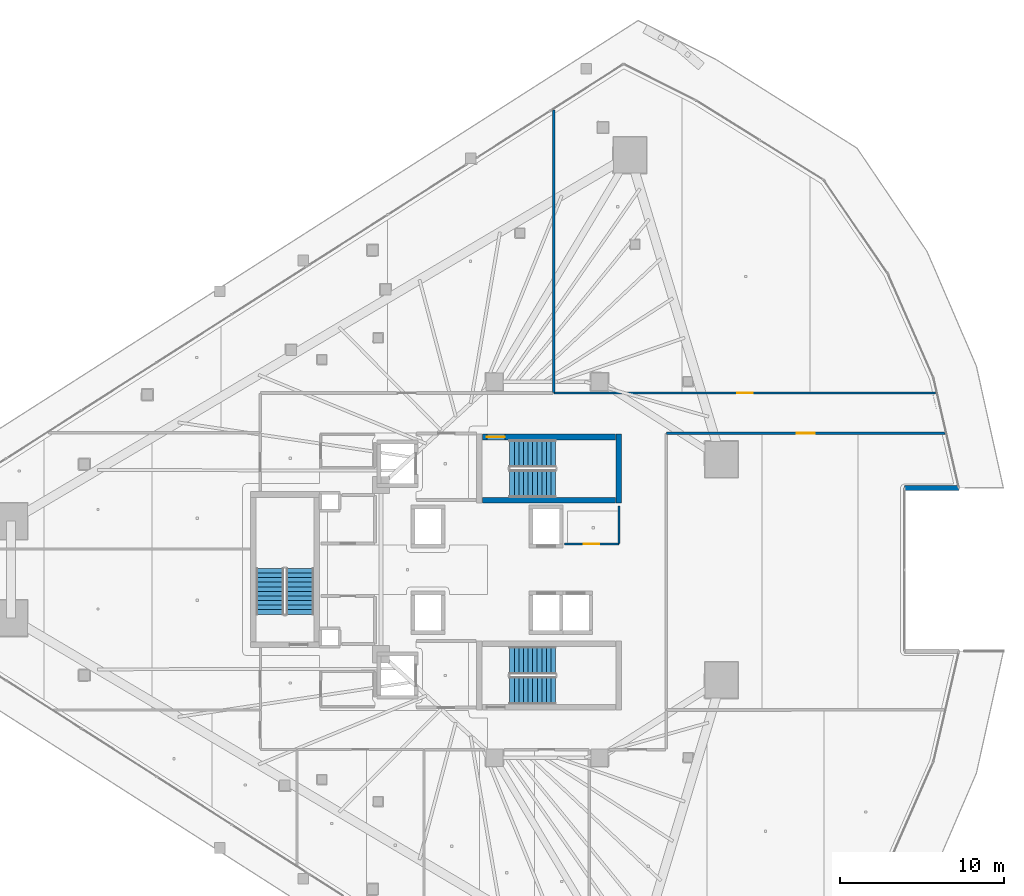
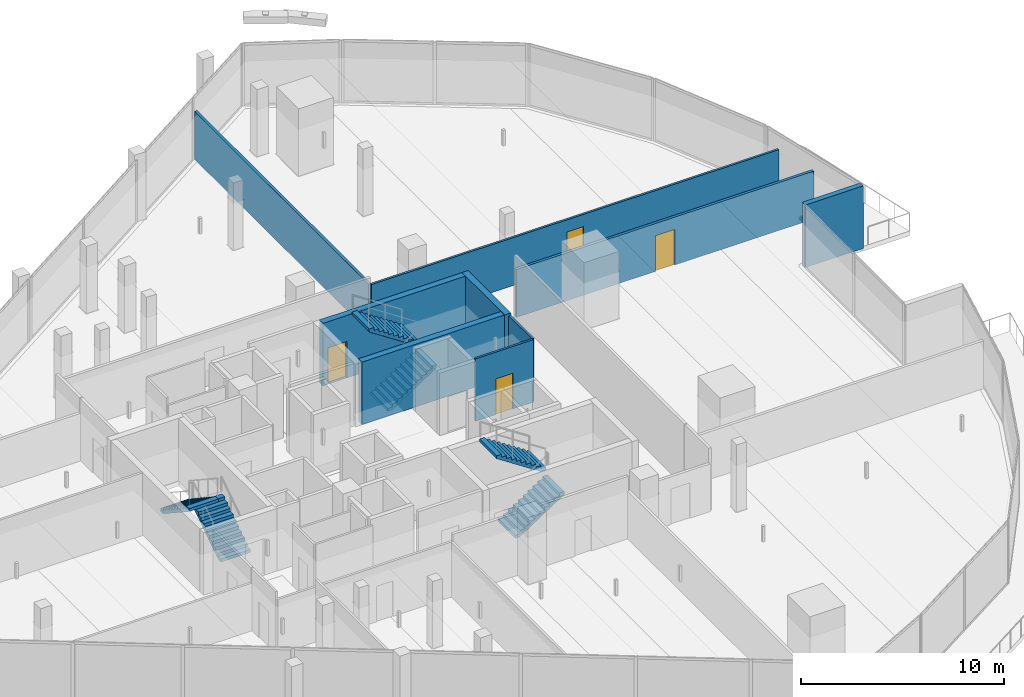
# One storey, part 29 of 42: 9 walls, 6 stair flights, 4 doors, 4 openings, 3 elements without a shape of their own.
"""IFC4 building model written with IfcOpenShell, lengths in metres."""

from ifc_helpers import new_model, si_unit, direction, frame, frame_2d, origin, place, context, subcontext, project, spatial, polyline, rectangle, outline, extrude, material, layer, layer_set, type_object, element, fill, aggregate, save


model = new_model("IFC4")

# Units and contexts
model_context = context("Model", 3, precision=1e-05, world=origin(), true_north=direction((0.0, 1.0)))
body_context = subcontext(model_context, "Body", "Model", "MODEL_VIEW")
ifc_project = project(units=[si_unit("LENGTHUNIT", "METRE"), si_unit("AREAUNIT", "SQUARE_METRE"), si_unit("VOLUMEUNIT", "CUBIC_METRE"), si_unit("PLANEANGLEUNIT", "RADIAN"), si_unit("MASSUNIT", "GRAM", prefix="KILO")], contexts=[model_context])

# Site, building, storey
site_placement = place(None, origin())
site = spatial("IfcSite", under=ifc_project, at=site_placement, CompositionType="ELEMENT")
building_placement = place(site_placement, origin())
building = spatial("IfcBuilding", under=site, at=building_placement, Name="Qorvath Tower", CompositionType="ELEMENT")
storey_placement = place(building_placement, frame((0.0, 0.0, 117.89990234375)))
storey = spatial("IfcBuildingStorey", under=building, at=storey_placement, Name="L26", CompositionType="ELEMENT", Elevation=117.89990234375)

# Wall
ifc_material_1 = material(Name="Double acoustic gypsum board on steel studs", Category="steel")
ifc_layer_1 = layer(ifc_material_1, 0.159912109375)
ifc_layer_set_1 = layer_set([ifc_layer_1], Name="IW-ACOUSTIC-160")
wall_type_1 = type_object("IfcWallType", Name="IW-ACOUSTIC-160", PredefinedType="PARTITIONING", material=ifc_layer_set_1)
wall_1_placement = place(storey_placement, frame((-19.99267578125, 10.783203125, 0.0), z_axis=(0.0, 0.0, 1.0), x_axis=(0.0, 1.0, 0.0)))
element("IfcWall", 1, at=wall_1_placement, inside=storey, type_object=wall_type_1, Name="Interior Partition IW-T1-L26-024", PredefinedType="PARTITIONING", context=body_context, shape_type="SweptSolid", body=[
    extrude(rectangle(XDim=17.206298828125, YDim=0.159912109375, at=frame_2d((8.60302734375, 0.0))), origin(), (0.0, 0.0, 1.0), 2.885009765625),
])

# Wall, opening, door
wall_2_placement = place(storey_placement, frame((3.845703125, 8.31201171875, 0.0), z_axis=(0.0, 0.0, 1.0), x_axis=(-1.0, 0.0, 0.0)))
wall_2 = element("IfcWall", 2, at=wall_2_placement, inside=storey, type_object=wall_type_1, Name="Interior Partition IW-T1-L26-038", PredefinedType="PARTITIONING", context=body_context, shape_type="SweptSolid", body=[
    extrude(rectangle(XDim=16.962890625, YDim=0.159912109375, at=frame_2d((8.4814453125, 0.0))), origin(), (0.0, 0.0, 1.0), 2.885009765625),
])
opening_1_placement = place(wall_2_placement, frame((7.931396484375, 0.0, 0.0)))
opening_1 = element("IfcOpeningElement", 3, at=opening_1_placement, cuts=wall_2, Name="Opening D-T1-L26-12", PredefinedType="OPENING", context=body_context, shape_type="SweptSolid", body=[
    extrude(rectangle(XDim=1.10009765625, YDim=2.14990234375, at=frame_2d((0.550048828125, 1.074951171875))), frame((0.0, 0.08984375, 0.0), z_axis=(0.0, -1.0, 0.0), x_axis=(1.0, 0.0, 0.0)), (0.0, 0.0, 1.0), 0.179931640625),
])
ifc_material_2 = material(Name="Anodised aluminium acoustic framed glass", Category="aluminium")
door_type_1 = type_object("IfcDoorType", Name="D-03", OperationType="NOTDEFINED", PredefinedType="DOOR", material=ifc_material_2)
door_1_placement = place(opening_1_placement, origin())
door_1 = element("IfcDoor", 4, at=door_1_placement, inside=storey, type_object=door_type_1, Name="L26-07 Team Project Office Door D-T1-L26-12", OperationType="SINGLE_SWING_LEFT", OverallHeight=2.14990234375, OverallWidth=1.10009765625, PredefinedType="DOOR", context=body_context, shape_type="SweptSolid", body=[
    extrude(rectangle(XDim=1.10009765625, YDim=2.14990234375, at=frame_2d((0.550048828125, 1.074951171875))), frame((0.0, 0.02490234375, 0.0), z_axis=(0.0, -1.0, 0.0), x_axis=(1.0, 0.0, 0.0)), (0.0, 0.0, 1.0), 0.050048828125),
])
fill(opening_1, door_1)

ifc_material_3 = material(Name="Gypsum board on metal studs with mineral wool", Category="gypsum")
ifc_layer_2 = layer(ifc_material_3, 0.125)
ifc_layer_set_2 = layer_set([ifc_layer_2], Name="IW-PART-125")
wall_type_2 = type_object("IfcWallType", Name="IW-PART-125", PredefinedType="PARTITIONING", material=ifc_layer_set_2)
wall_3_placement = place(storey_placement, frame((-19.333740234375, 1.56005859375, 0.0), z_axis=(0.0, 0.0, 1.0), x_axis=(1.0, 0.0, 0.0)))
wall_3 = element("IfcWall", 5, at=wall_3_placement, inside=storey, type_object=wall_type_2, Name="Interior Partition IW-T1-L26-013", PredefinedType="PARTITIONING", context=body_context, shape_type="SweptSolid", body=[
    extrude(rectangle(XDim=3.308837890625, YDim=0.125, at=frame_2d((1.654296875, 0.0))), origin(), (0.0, 0.0, 1.0), 3.77001953125),
])
opening_2_placement = place(wall_3_placement, frame((1.179443359375, 0.0, 0.0)))
opening_2 = element("IfcOpeningElement", 6, at=opening_2_placement, cuts=wall_3, Name="Opening D-T1-L26-03", PredefinedType="OPENING", context=body_context, shape_type="SweptSolid", body=[
    extrude(rectangle(XDim=0.949951171875, YDim=2.14990234375, at=frame_2d((0.47509765625, 1.074951171875))), frame((0.0, 0.072509765625, 0.0), z_axis=(0.0, -1.0, 0.0), x_axis=(1.0, 0.0, 0.0)), (0.0, 0.0, 1.0), 0.14501953125),
])
ifc_material_4 = material(Name="Solid-core American white oak veneer", Category="wood")
door_type_2 = type_object("IfcDoorType", Name="D-01", OperationType="NOTDEFINED", PredefinedType="DOOR", material=ifc_material_4)
door_2_placement = place(opening_2_placement, origin())
door_2 = element("IfcDoor", 7, at=door_2_placement, inside=storey, type_object=door_type_2, Name="L26-RCN North Staff Refreshment Pantry Door D-T1-L26-03", OperationType="SINGLE_SWING_RIGHT", OverallHeight=2.14990234375, OverallWidth=0.949951171875, PredefinedType="DOOR", context=body_context, shape_type="SweptSolid", body=[
    extrude(rectangle(XDim=0.949951171875, YDim=2.14990234375, at=frame_2d((0.47509765625, 1.074951171875))), frame((0.0, 0.02490234375, 0.0), z_axis=(0.0, -1.0, 0.0), x_axis=(1.0, 0.0, 0.0)), (0.0, 0.0, 1.0), 0.050048828125),
])
fill(opening_2, door_2)

# Wall
wall_4_placement = place(storey_placement, frame((-16.0, 1.585205078125, 0.0), z_axis=(0.0, 0.0, 1.0), x_axis=(0.0, 1.0, 0.0)))
element("IfcWall", 8, at=wall_4_placement, inside=storey, type_object=wall_type_2, Name="Interior Partition IW-T1-L26-014", PredefinedType="PARTITIONING", context=body_context, shape_type="SweptSolid", body=[
    extrude(rectangle(XDim=2.30224609375, YDim=0.125, at=frame_2d((1.151123046875, 0.0))), origin(), (0.0, 0.0, 1.0), 3.77001953125),
])

# Wall, opening, door
wall_5_placement = place(storey_placement, frame((-19.959716796875, 10.758056640625, 0.0), z_axis=(0.0, 0.0, 1.0), x_axis=(1.0, 0.0, 0.0)))
wall_5 = element("IfcWall", 9, at=wall_5_placement, inside=storey, type_object=wall_type_2, Name="Interior Partition IW-T1-L26-025", PredefinedType="PARTITIONING", context=body_context, shape_type="SweptSolid", body=[
    extrude(rectangle(XDim=23.239990234375, YDim=0.125, at=frame_2d((11.6201171875, 0.0))), origin(), (0.0, 0.0, 1.0), 2.885009765625),
])
opening_3_placement = place(wall_5_placement, frame((11.14501953125, 0.0, 0.0)))
opening_3 = element("IfcOpeningElement", 10, at=opening_3_placement, cuts=wall_5, Name="Opening D-T1-L26-07", PredefinedType="OPENING", context=body_context, shape_type="SweptSolid", body=[
    extrude(rectangle(XDim=0.949951171875, YDim=2.14990234375, at=frame_2d((0.47509765625, 1.074951171875))), frame((0.0, 0.072509765625, 0.0), z_axis=(0.0, -1.0, 0.0), x_axis=(1.0, 0.0, 0.0)), (0.0, 0.0, 1.0), 0.14501953125),
])
door_3_placement = place(opening_3_placement, origin())
door_3 = element("IfcDoor", 11, at=door_3_placement, inside=storey, type_object=door_type_2, Name="L26-02 Project Collaboration Workspace Door D-T1-L26-07", OperationType="SINGLE_SWING_RIGHT", OverallHeight=2.14990234375, OverallWidth=0.949951171875, PredefinedType="DOOR", context=body_context, shape_type="SweptSolid", body=[
    extrude(rectangle(XDim=0.949951171875, YDim=2.14990234375, at=frame_2d((0.47509765625, 1.074951171875))), frame((0.0, 0.02490234375, 0.0), z_axis=(0.0, -1.0, 0.0), x_axis=(1.0, 0.0, 0.0)), (0.0, 0.0, 1.0), 0.050048828125),
])
fill(opening_3, door_3)

# Walls
ifc_material_5 = material(Name="Concrete C60/75", Category="concrete")
ifc_layer_3 = layer(ifc_material_5, 0.35009765625)
ifc_layer_set_3 = layer_set([ifc_layer_3], Name="SW-STAIR")
wall_type_3 = type_object("IfcWallType", Name="SW-STAIR", PredefinedType="SHEAR", material=ifc_layer_set_3)
wall_6_placement = place(storey_placement, frame((-16.02490234375, 4.050048828125, 0.0), z_axis=(0.0, 0.0, 1.0), x_axis=(0.0, 1.0, 0.0)))
element("IfcWall", 12, at=wall_6_placement, inside=storey, type_object=wall_type_3, Name="Stair TS1 Shear Wall L26 FAR", PredefinedType="SHEAR", context=body_context, shape_type="SweptSolid", body=[
    extrude(rectangle(XDim=4.2099609375, YDim=0.35009765625, at=frame_2d((2.10498046875, 0.0))), origin(), (0.0, 0.0, 1.0), 3.77001953125),
])
wall_7_placement = place(storey_placement, frame((-24.3349609375, 4.22509765625, 0.0), z_axis=(0.0, 0.0, 1.0), x_axis=(1.0, 0.0, 0.0)))
element("IfcWall", 13, at=wall_7_placement, inside=storey, type_object=wall_type_3, Name="Stair TS1 Shear Wall L26 LEFT", PredefinedType="SHEAR", context=body_context, shape_type="SweptSolid", body=[
    extrude(rectangle(XDim=8.119873046875, YDim=0.35009765625, at=frame_2d((4.06005859375, 0.0))), origin(), (0.0, 0.0, 1.0), 3.77001953125),
])

# Wall, opening, door
wall_8_placement = place(storey_placement, frame((-16.215087890625, 8.0849609375, 0.0), z_axis=(0.0, 0.0, 1.0), x_axis=(-1.0, 0.0, 0.0)))
wall_8 = element("IfcWall", 14, at=wall_8_placement, inside=storey, type_object=wall_type_3, Name="Stair TS1 Shear Wall L26 RIGHT", PredefinedType="SHEAR", context=body_context, shape_type="SweptSolid", body=[
    extrude(rectangle(XDim=8.119873046875, YDim=0.35009765625, at=frame_2d((4.06005859375, 0.0))), origin(), (0.0, 0.0, 1.0), 3.77001953125),
])
opening_4_placement = place(wall_8_placement, frame((6.739990234375, 0.0, 0.0)))
opening_4 = element("IfcOpeningElement", 15, at=opening_4_placement, cuts=wall_8, Name="Opening D-TS1-L26", PredefinedType="OPENING", context=body_context, shape_type="SweptSolid", body=[
    extrude(rectangle(XDim=1.10009765625, YDim=2.199951171875, at=frame_2d((0.550048828125, 1.10009765625))), frame((0.0, 0.18505859375, 0.0), z_axis=(0.0, -1.0, 0.0), x_axis=(1.0, 0.0, 0.0)), (0.0, 0.0, 1.0), 0.3701171875),
])
ifc_material_6 = material(Name="Painted galvanised hollow metal", Category="steel")
door_type_3 = type_object("IfcDoorType", Name="FD-90", OperationType="NOTDEFINED", PredefinedType="DOOR", material=ifc_material_6)
door_4_placement = place(opening_4_placement, origin())
door_4 = element("IfcDoor", 16, at=door_4_placement, inside=storey, type_object=door_type_3, Name="Stair TS1 Fire Door L26", OperationType="SINGLE_SWING_LEFT", OverallHeight=2.199951171875, OverallWidth=1.10009765625, PredefinedType="DOOR", context=body_context, shape_type="SweptSolid", body=[
    extrude(rectangle(XDim=1.10009765625, YDim=2.199951171875, at=frame_2d((0.550048828125, 1.10009765625))), frame((0.0, 0.02490234375, 0.0), z_axis=(0.0, -1.0, 0.0), x_axis=(1.0, 0.0, 0.0)), (0.0, 0.0, 1.0), 0.050048828125),
])
fill(opening_4, door_4)

# Wall
ifc_material_7 = material(Name="Precast concrete C45/55", Category="concrete")
ifc_layer_4 = layer(ifc_material_7, 0.300048828125)
ifc_layer_set_4 = layer_set([ifc_layer_4], Name="WL-EW-LOG-300")
wall_type_4 = type_object("IfcWallType", Name="WL-EW-LOG-300", PredefinedType="SOLIDWALL", material=ifc_layer_set_4)
wall_9_placement = place(storey_placement, frame((1.386962890625, 4.968017578125, 0.0), z_axis=(0.0, 0.0, 1.0), x_axis=(1.0, 0.0, 0.0)))
element("IfcWall", 17, at=wall_9_placement, inside=storey, type_object=wall_type_4, Name="Tower Precast Loggia Wall L26-10.1", PredefinedType="SOLIDWALL", context=body_context, shape_type="SweptSolid", body=[
    extrude(rectangle(XDim=3.31201171875, YDim=0.300048828125, at=frame_2d((1.656005859375, 0.0))), origin(), (0.0, 0.0, 1.0), 3.77001953125),
])

# Stair, stair flights
ifc_material_8 = material(Name="Concrete C50/60", Category="concrete")
stair_type = type_object("IfcStairType", Name="ST-H405", PredefinedType="HALF_TURN_STAIR", material=ifc_material_8)
stair_1_placement = place(storey_placement, origin())
stair_1 = element("IfcStair", 18, at=stair_1_placement, inside=storey, type_object=stair_type, Name="L26 Tower Exit Stair 1", PredefinedType="HALF_TURN_STAIR")
ifc_material_9 = material(Name="Concrete C50/60", Category="concrete")
ifc_layer_5 = layer(ifc_material_9, 0.14990234375)
ifc_layer_set_5 = layer_set([ifc_layer_5], Name="SF-H405")
stair_flight_type = type_object("IfcStairFlightType", Name="SF-H405", PredefinedType="STRAIGHT", material=ifc_layer_set_5)
stair_flight_1_placement = place(storey_placement, frame((-22.669921875, 5.239990234375, 0.0), z_axis=(0.0, 0.0, 1.0), x_axis=(1.0, 0.0, 0.0)))
stair_flight_1 = element("IfcStairFlight", 19, at=stair_flight_1_placement, type_object=stair_flight_type, Name="TS1 flight 1", NumberOfRisers=11, NumberOfTreads=10, PredefinedType="STRAIGHT", RiserHeight=0.184090909, TreadLength=0.28, context=body_context, shape_type="SweptSolid", body=[
    extrude(outline(polyline([(0.0, 0.0), (0.0, 0.18408203125), (0.280029296875, 0.18408203125), (0.280029296875, 0.3681640625), (0.56005859375, 0.3681640625), (0.56005859375, 0.55224609375), (0.840087890625, 0.55224609375), (0.840087890625, 0.736328125), (1.1201171875, 0.736328125), (1.1201171875, 0.92041015625), (1.39990234375, 0.92041015625), (1.39990234375, 1.1044921875), (1.679931640625, 1.1044921875), (1.679931640625, 1.28857421875), (1.9599609375, 1.28857421875), (1.9599609375, 1.47265625), (2.239990234375, 1.47265625), (2.239990234375, 1.65673828125), (2.52001953125, 1.65673828125), (2.52001953125, 1.8408203125), (2.800048828125, 1.8408203125), (2.800048828125, 2.02490234375), (2.800048828125, 1.66162109375), (0.27294921875, 0.0), (0.0, 0.0)])), frame((0.0, 0.83984375, 0.0), z_axis=(0.0, -1.0, 0.0), x_axis=(1.0, 0.0, 0.0)), (0.0, 0.0, 1.0), 1.679931640625),
])
stair_flight_2_placement = place(storey_placement, frame((-19.8701171875, 7.070068359375, 2.025146484375), z_axis=(0.0, 0.0, 1.0), x_axis=(-1.0, 0.0, 0.0)))
stair_flight_2 = element("IfcStairFlight", 20, at=stair_flight_2_placement, type_object=stair_flight_type, Name="TS1 flight 2", NumberOfRisers=11, NumberOfTreads=10, PredefinedType="STRAIGHT", RiserHeight=0.184090909, TreadLength=0.28, context=body_context, shape_type="SweptSolid", body=[
    extrude(outline(polyline([(0.0, 0.0), (0.0, 0.18408203125), (0.280029296875, 0.18408203125), (0.280029296875, 0.3681640625), (0.56005859375, 0.3681640625), (0.56005859375, 0.55224609375), (0.840087890625, 0.55224609375), (0.840087890625, 0.736328125), (1.1201171875, 0.736328125), (1.1201171875, 0.92041015625), (1.39990234375, 0.92041015625), (1.39990234375, 1.1044921875), (1.679931640625, 1.1044921875), (1.679931640625, 1.28857421875), (1.9599609375, 1.28857421875), (1.9599609375, 1.47265625), (2.239990234375, 1.47265625), (2.239990234375, 1.65673828125), (2.52001953125, 1.65673828125), (2.52001953125, 1.8408203125), (2.800048828125, 1.8408203125), (2.800048828125, 2.02490234375), (2.800048828125, 1.66162109375), (0.27294921875, 0.0), (0.0, 0.0)])), frame((0.0, 0.83984375, 0.0), z_axis=(0.0, -1.0, 0.0), x_axis=(1.0, 0.0, 0.0)), (0.0, 0.0, 1.0), 1.679931640625),
])
aggregate(stair_1, [stair_flight_1, stair_flight_2])

stair_2_placement = place(storey_placement, origin())
stair_2 = element("IfcStair", 21, at=stair_2_placement, inside=storey, type_object=stair_type, Name="L26 Tower Exit Stair 2", PredefinedType="HALF_TURN_STAIR")
stair_flight_3_placement = place(storey_placement, frame((-22.669921875, -7.360107421875, 0.0), z_axis=(0.0, 0.0, 1.0), x_axis=(1.0, 0.0, 0.0)))
stair_flight_3 = element("IfcStairFlight", 22, at=stair_flight_3_placement, type_object=stair_flight_type, Name="TS2 flight 1", NumberOfRisers=11, NumberOfTreads=10, PredefinedType="STRAIGHT", RiserHeight=0.184090909, TreadLength=0.28, context=body_context, shape_type="SweptSolid", body=[
    extrude(outline(polyline([(0.0, 0.0), (0.0, 0.18408203125), (0.280029296875, 0.18408203125), (0.280029296875, 0.3681640625), (0.56005859375, 0.3681640625), (0.56005859375, 0.55224609375), (0.840087890625, 0.55224609375), (0.840087890625, 0.736328125), (1.1201171875, 0.736328125), (1.1201171875, 0.92041015625), (1.39990234375, 0.92041015625), (1.39990234375, 1.1044921875), (1.679931640625, 1.1044921875), (1.679931640625, 1.28857421875), (1.9599609375, 1.28857421875), (1.9599609375, 1.47265625), (2.239990234375, 1.47265625), (2.239990234375, 1.65673828125), (2.52001953125, 1.65673828125), (2.52001953125, 1.8408203125), (2.800048828125, 1.8408203125), (2.800048828125, 2.02490234375), (2.800048828125, 1.66162109375), (0.27294921875, 0.0), (0.0, 0.0)])), frame((0.0, 0.83984375, 0.0), z_axis=(0.0, -1.0, 0.0), x_axis=(1.0, 0.0, 0.0)), (0.0, 0.0, 1.0), 1.679931640625),
])
stair_flight_4_placement = place(storey_placement, frame((-19.8701171875, -5.530029296875, 2.025146484375), z_axis=(0.0, 0.0, 1.0), x_axis=(-1.0, 0.0, 0.0)))
stair_flight_4 = element("IfcStairFlight", 23, at=stair_flight_4_placement, type_object=stair_flight_type, Name="TS2 flight 2", NumberOfRisers=11, NumberOfTreads=10, PredefinedType="STRAIGHT", RiserHeight=0.184090909, TreadLength=0.28, context=body_context, shape_type="SweptSolid", body=[
    extrude(outline(polyline([(0.0, 0.0), (0.0, 0.18408203125), (0.280029296875, 0.18408203125), (0.280029296875, 0.3681640625), (0.56005859375, 0.3681640625), (0.56005859375, 0.55224609375), (0.840087890625, 0.55224609375), (0.840087890625, 0.736328125), (1.1201171875, 0.736328125), (1.1201171875, 0.92041015625), (1.39990234375, 0.92041015625), (1.39990234375, 1.1044921875), (1.679931640625, 1.1044921875), (1.679931640625, 1.28857421875), (1.9599609375, 1.28857421875), (1.9599609375, 1.47265625), (2.239990234375, 1.47265625), (2.239990234375, 1.65673828125), (2.52001953125, 1.65673828125), (2.52001953125, 1.8408203125), (2.800048828125, 1.8408203125), (2.800048828125, 2.02490234375), (2.800048828125, 1.66162109375), (0.27294921875, 0.0), (0.0, 0.0)])), frame((0.0, 0.83984375, 0.0), z_axis=(0.0, -1.0, 0.0), x_axis=(1.0, 0.0, 0.0)), (0.0, 0.0, 1.0), 1.679931640625),
])
aggregate(stair_2, [stair_flight_3, stair_flight_4])

stair_3_placement = place(storey_placement, origin())
stair_3 = element("IfcStair", 24, at=stair_3_placement, inside=storey, type_object=stair_type, Name="L26 Tower Exit Stair 3", PredefinedType="HALF_TURN_STAIR")
stair_flight_5_placement = place(storey_placement, frame((-35.43994140625, -2.719970703125, 0.0), z_axis=(0.0, 0.0, 1.0), x_axis=(0.0, 1.0, 0.0)))
stair_flight_5 = element("IfcStairFlight", 25, at=stair_flight_5_placement, type_object=stair_flight_type, Name="TS3 flight 1", NumberOfRisers=11, NumberOfTreads=10, PredefinedType="STRAIGHT", RiserHeight=0.184090909, TreadLength=0.28, context=body_context, shape_type="SweptSolid", body=[
    extrude(outline(polyline([(0.0, 0.0), (0.0, 0.18408203125), (0.280029296875, 0.18408203125), (0.280029296875, 0.3681640625), (0.56005859375, 0.3681640625), (0.56005859375, 0.55224609375), (0.840087890625, 0.55224609375), (0.840087890625, 0.736328125), (1.1201171875, 0.736328125), (1.1201171875, 0.92041015625), (1.39990234375, 0.92041015625), (1.39990234375, 1.1044921875), (1.679931640625, 1.1044921875), (1.679931640625, 1.28857421875), (1.9599609375, 1.28857421875), (1.9599609375, 1.47265625), (2.239990234375, 1.47265625), (2.239990234375, 1.65673828125), (2.52001953125, 1.65673828125), (2.52001953125, 1.8408203125), (2.800048828125, 1.8408203125), (2.800048828125, 2.02490234375), (2.800048828125, 1.66162109375), (0.27294921875, 0.0), (0.0, 0.0)])), frame((0.0, 0.83984375, 0.0), z_axis=(0.0, -1.0, 0.0), x_axis=(1.0, 0.0, 0.0)), (0.0, 0.0, 1.0), 1.679931640625),
])
stair_flight_6_placement = place(storey_placement, frame((-37.27001953125, 0.080078125, 2.025146484375), z_axis=(0.0, 0.0, 1.0), x_axis=(0.0, -1.0, 0.0)))
stair_flight_6 = element("IfcStairFlight", 26, at=stair_flight_6_placement, type_object=stair_flight_type, Name="TS3 flight 2", NumberOfRisers=11, NumberOfTreads=10, PredefinedType="STRAIGHT", RiserHeight=0.184090909, TreadLength=0.28, context=body_context, shape_type="SweptSolid", body=[
    extrude(outline(polyline([(0.0, 0.0), (0.0, 0.18408203125), (0.280029296875, 0.18408203125), (0.280029296875, 0.3681640625), (0.56005859375, 0.3681640625), (0.56005859375, 0.55224609375), (0.840087890625, 0.55224609375), (0.840087890625, 0.736328125), (1.1201171875, 0.736328125), (1.1201171875, 0.92041015625), (1.39990234375, 0.92041015625), (1.39990234375, 1.1044921875), (1.679931640625, 1.1044921875), (1.679931640625, 1.28857421875), (1.9599609375, 1.28857421875), (1.9599609375, 1.47265625), (2.239990234375, 1.47265625), (2.239990234375, 1.65673828125), (2.52001953125, 1.65673828125), (2.52001953125, 1.8408203125), (2.800048828125, 1.8408203125), (2.800048828125, 2.02490234375), (2.800048828125, 1.66162109375), (0.27294921875, 0.0), (0.0, 0.0)])), frame((0.0, 0.83984375, 0.0), z_axis=(0.0, -1.0, 0.0), x_axis=(1.0, 0.0, 0.0)), (0.0, 0.0, 1.0), 1.679931640625),
])
aggregate(stair_3, [stair_flight_5, stair_flight_6])

save(model, "model.ifc")
